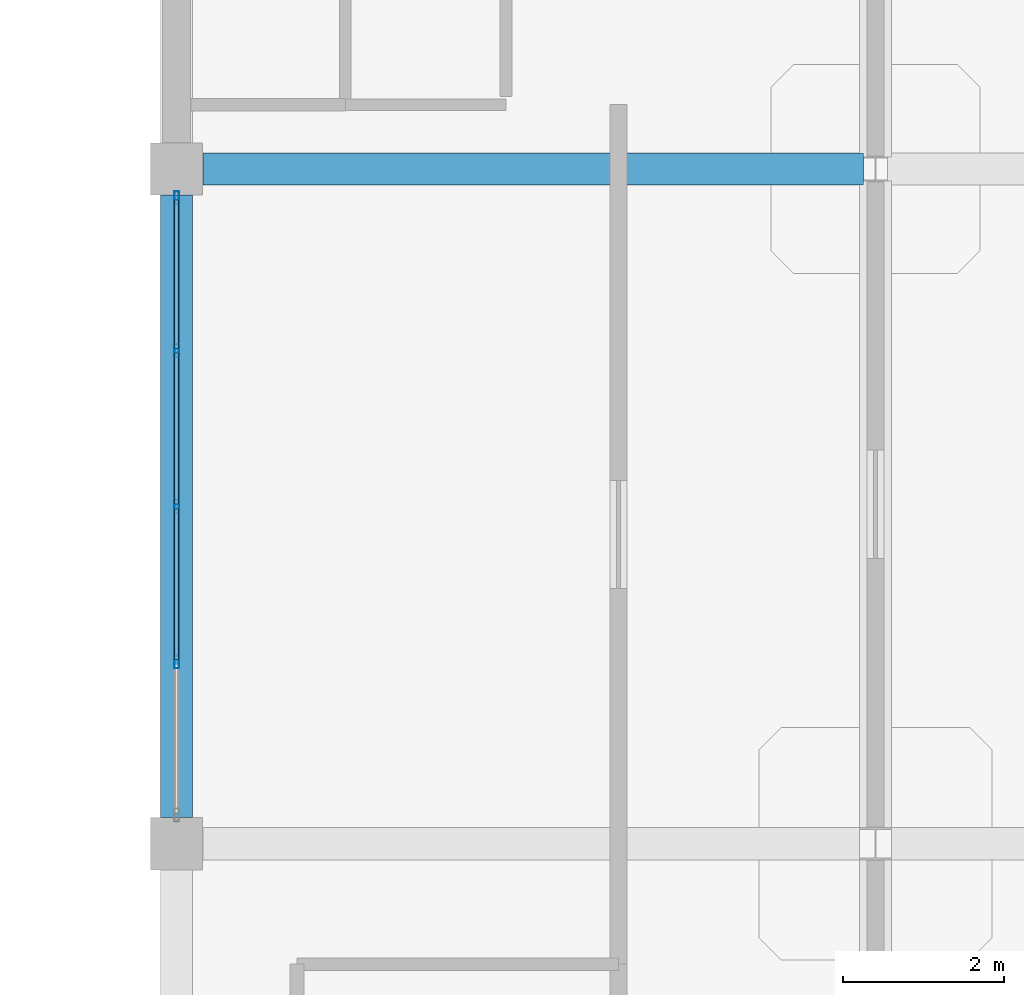
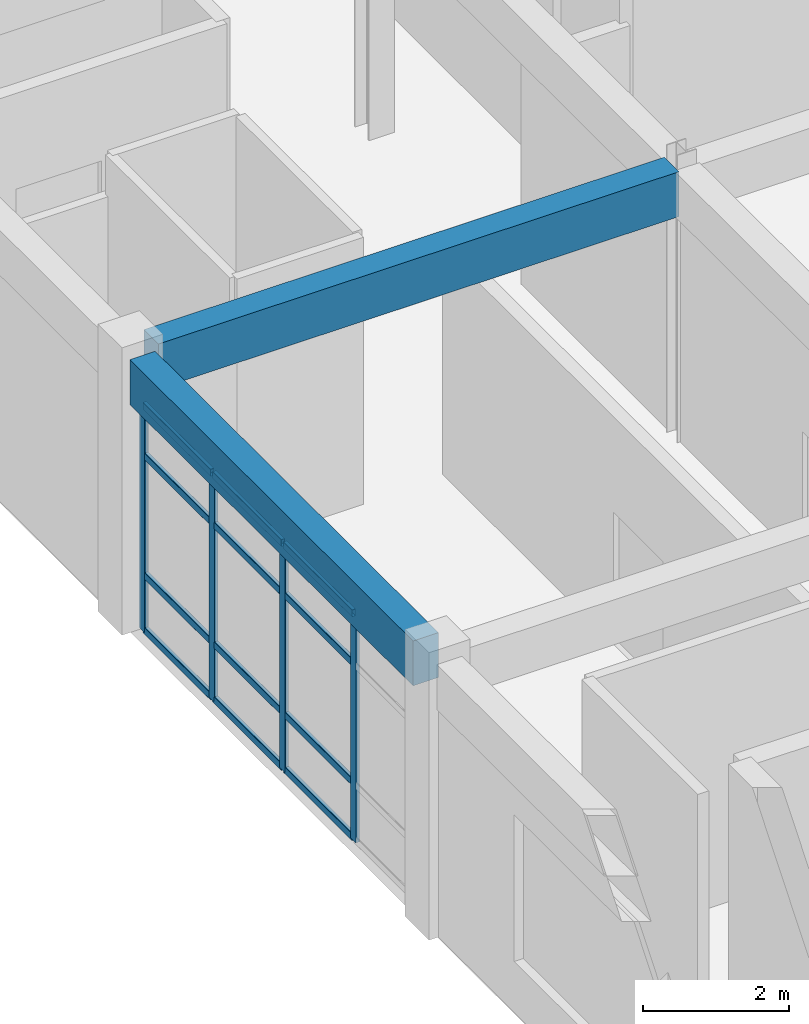
# One storey, part 25 of 41: 16 members, 2 beams, 1 element without a shape of its own.
"""IFC4 building model written with IfcOpenShell, lengths in metres."""

from ifc_helpers import new_model, si_unit, derived_unit, direction, frame, origin, origin_2d, place, context, subcontext, project, spatial, rectangle, hollow_rectangle, extrude, material, layer, layer_set, material_profile, profile_set, type_object, element, aggregate, save


model = new_model("IFC4")

# Units and contexts
model_context = context("Model", 3, precision=1e-05, world=origin(), true_north=direction((0.0, 1.0)))
body_context = subcontext(model_context, "Body", "Model", "MODEL_VIEW")
ifc_project = project(units=[si_unit("LENGTHUNIT", "METRE"), si_unit("AREAUNIT", "SQUARE_METRE"), si_unit("VOLUMEUNIT", "CUBIC_METRE"), si_unit("PLANEANGLEUNIT", "RADIAN"), si_unit("MASSUNIT", "GRAM", prefix="KILO"), derived_unit("THERMALTRANSMITTANCEUNIT", [(si_unit("MASSUNIT", "GRAM", prefix="KILO"), 1), (si_unit("TIMEUNIT", "SECOND"), -3), (si_unit("THERMODYNAMICTEMPERATUREUNIT", "KELVIN"), -1)])], contexts=[model_context])

# Site, building, storey
site_placement = place(None, origin())
site = spatial("IfcSite", under=ifc_project, at=site_placement, CompositionType="ELEMENT")
building_placement = place(site_placement, origin())
building = spatial("IfcBuilding", under=site, at=building_placement, Name="Qinzheling Arcade Emporium", CompositionType="ELEMENT")
storey_placement = place(building_placement, frame((0.0, 0.0, 36.300048828125)))
storey = spatial("IfcBuildingStorey", under=building, at=storey_placement, Name="L08", CompositionType="ELEMENT", Elevation=36.300048828125)

# Curtain wall, members
ifc_material_1 = material(Name="Anodised aluminium and solar-control double glazing", Category="aluminium")
ifc_layer = layer(ifc_material_1, 0.159912109375, Name="Anodised aluminium and solar-control double glazing", Category="aluminium")
ifc_layer_set = layer_set([ifc_layer], Name="Anodised aluminium and solar-control double glazing")
curtain_wall_type = type_object("IfcCurtainWallType", Name="Arcade Portal Glazed Curtain Wall", PredefinedType="NOTDEFINED", material=ifc_layer_set)
curtain_wall_placement = place(storey_placement, origin())
curtain_wall = element("IfcCurtainWall", 1, at=curtain_wall_placement, inside=storey, type_object=curtain_wall_type, Name="Curtain Wall CW-L08-446", PredefinedType="NOTDEFINED")
ifc_material_2 = material(Name="Anodised aluminium 6063-T6", Category="aluminium")
ifc_material_profile_1 = material_profile(ifc_material_2, hollow_rectangle(XDim=0.06005859375, YDim=0.159912109375, WallThickness=0.00390625, InnerFilletRadius=0.00390625, OuterFilletRadius=0.008056640625, at=origin_2d()), Name="RHS 160x60x4", Category="aluminium")
ifc_profile_set_1 = profile_set([ifc_material_profile_1], Name="Anodised aluminium 6063-T6")
member_type_1 = type_object("IfcMemberType", Name="Curtain Wall Mullion RHS160x60", PredefinedType="MULLION", material=ifc_profile_set_1)
member_1_placement = place(storey_placement, frame((104.39990234375, 84.46337890625, 0.0), z_axis=(0.0, 0.0, 1.0), x_axis=(-1.0, 0.0, 0.0)))
member_1 = element("IfcMember", 2, at=member_1_placement, type_object=member_type_1, Name="CW05 mullion 2", PredefinedType="MULLION", context=body_context, shape_type="SweptSolid", body=[
    extrude(hollow_rectangle(XDim=0.06005859375, YDim=0.159912109375, WallThickness=0.00390625, InnerFilletRadius=0.00390625, OuterFilletRadius=0.008056640625, at=origin_2d()), origin(), (0.0, 0.0, 1.0), 3.794921875),
])
member_2_placement = place(storey_placement, frame((104.39990234375, 86.39990234375, 0.0), z_axis=(0.0, 0.0, 1.0), x_axis=(-1.0, 0.0, 0.0)))
member_2 = element("IfcMember", 3, at=member_2_placement, type_object=member_type_1, Name="CW05 mullion 3", PredefinedType="MULLION", context=body_context, shape_type="SweptSolid", body=[
    extrude(hollow_rectangle(XDim=0.06005859375, YDim=0.159912109375, WallThickness=0.00390625, InnerFilletRadius=0.00390625, OuterFilletRadius=0.008056640625, at=origin_2d()), origin(), (0.0, 0.0, 1.0), 3.794921875),
])
member_3_placement = place(storey_placement, frame((104.39990234375, 88.33642578125, 0.0), z_axis=(0.0, 0.0, 1.0), x_axis=(-1.0, 0.0, 0.0)))
member_3 = element("IfcMember", 4, at=member_3_placement, type_object=member_type_1, Name="CW05 mullion 4", PredefinedType="MULLION", context=body_context, shape_type="SweptSolid", body=[
    extrude(hollow_rectangle(XDim=0.06005859375, YDim=0.159912109375, WallThickness=0.00390625, InnerFilletRadius=0.00390625, OuterFilletRadius=0.008056640625, at=origin_2d()), origin(), (0.0, 0.0, 1.0), 3.794921875),
])
member_4_placement = place(storey_placement, frame((104.39990234375, 90.242919921875, 0.0), z_axis=(0.0, 0.0, 1.0), x_axis=(-1.0, 0.0, 0.0)))
member_4 = element("IfcMember", 5, at=member_4_placement, type_object=member_type_1, Name="CW05 mullion 5", PredefinedType="MULLION", context=body_context, shape_type="SweptSolid", body=[
    extrude(hollow_rectangle(XDim=0.06005859375, YDim=0.159912109375, WallThickness=0.00390625, InnerFilletRadius=0.00390625, OuterFilletRadius=0.008056640625, at=origin_2d()), origin(), (0.0, 0.0, 1.0), 3.794921875),
])
ifc_material_profile_2 = material_profile(ifc_material_2, hollow_rectangle(XDim=0.06005859375, YDim=0.1201171875, WallThickness=0.00390625, InnerFilletRadius=0.00390625, OuterFilletRadius=0.008056640625, at=origin_2d()), Name="RHS 120x60x4", Category="aluminium")
ifc_profile_set_2 = profile_set([ifc_material_profile_2], Name="Anodised aluminium 6063-T6")
member_type_2 = type_object("IfcMemberType", Name="Curtain Wall Transom RHS120x60", PredefinedType="USERDEFINED", material=ifc_profile_set_2)
member_5_placement = place(storey_placement, frame((104.39990234375, 84.493408203125, 0.030029296875), z_axis=(0.0, 1.0, 0.0), x_axis=(-1.0, 0.0, 0.0)))
member_5 = element("IfcMember", 6, at=member_5_placement, type_object=member_type_2, Name="CW05 transom 2.1", ObjectType="TRANSOM", PredefinedType="USERDEFINED", context=body_context, shape_type="SweptSolid", body=[
    extrude(hollow_rectangle(XDim=0.06005859375, YDim=0.1201171875, WallThickness=0.00390625, InnerFilletRadius=0.00390625, OuterFilletRadius=0.008056640625, at=origin_2d()), origin(), (0.0, 0.0, 1.0), 1.876708984375),
])
member_6_placement = place(storey_placement, frame((104.39990234375, 84.493408203125, 0.949951171875), z_axis=(0.0, 1.0, 0.0), x_axis=(-1.0, 0.0, 0.0)))
member_6 = element("IfcMember", 7, at=member_6_placement, type_object=member_type_2, Name="CW05 transom 2.2", ObjectType="TRANSOM", PredefinedType="USERDEFINED", context=body_context, shape_type="SweptSolid", body=[
    extrude(hollow_rectangle(XDim=0.06005859375, YDim=0.1201171875, WallThickness=0.00390625, InnerFilletRadius=0.00390625, OuterFilletRadius=0.008056640625, at=origin_2d()), origin(), (0.0, 0.0, 1.0), 1.876708984375),
])
member_7_placement = place(storey_placement, frame((104.39990234375, 84.493408203125, 2.945068359375), z_axis=(0.0, 1.0, 0.0), x_axis=(-1.0, 0.0, 0.0)))
member_7 = element("IfcMember", 8, at=member_7_placement, type_object=member_type_2, Name="CW05 transom 2.3", ObjectType="TRANSOM", PredefinedType="USERDEFINED", context=body_context, shape_type="SweptSolid", body=[
    extrude(hollow_rectangle(XDim=0.06005859375, YDim=0.1201171875, WallThickness=0.00390625, InnerFilletRadius=0.00390625, OuterFilletRadius=0.008056640625, at=origin_2d()), origin(), (0.0, 0.0, 1.0), 1.876708984375),
])
member_8_placement = place(storey_placement, frame((104.39990234375, 84.493408203125, 3.764892578125), z_axis=(0.0, 1.0, 0.0), x_axis=(-1.0, 0.0, 0.0)))
member_8 = element("IfcMember", 9, at=member_8_placement, type_object=member_type_2, Name="CW05 transom 2.4", ObjectType="TRANSOM", PredefinedType="USERDEFINED", context=body_context, shape_type="SweptSolid", body=[
    extrude(hollow_rectangle(XDim=0.06005859375, YDim=0.1201171875, WallThickness=0.00390625, InnerFilletRadius=0.00390625, OuterFilletRadius=0.008056640625, at=origin_2d()), origin(), (0.0, 0.0, 1.0), 1.876708984375),
])
member_9_placement = place(storey_placement, frame((104.39990234375, 86.429931640625, 0.030029296875), z_axis=(0.0, 1.0, 0.0), x_axis=(-1.0, 0.0, 0.0)))
member_9 = element("IfcMember", 10, at=member_9_placement, type_object=member_type_2, Name="CW05 transom 3.1", ObjectType="TRANSOM", PredefinedType="USERDEFINED", context=body_context, shape_type="SweptSolid", body=[
    extrude(hollow_rectangle(XDim=0.06005859375, YDim=0.1201171875, WallThickness=0.00390625, InnerFilletRadius=0.00390625, OuterFilletRadius=0.008056640625, at=origin_2d()), origin(), (0.0, 0.0, 1.0), 1.87646484375),
])
member_10_placement = place(storey_placement, frame((104.39990234375, 86.429931640625, 0.949951171875), z_axis=(0.0, 1.0, 0.0), x_axis=(-1.0, 0.0, 0.0)))
member_10 = element("IfcMember", 11, at=member_10_placement, type_object=member_type_2, Name="CW05 transom 3.2", ObjectType="TRANSOM", PredefinedType="USERDEFINED", context=body_context, shape_type="SweptSolid", body=[
    extrude(hollow_rectangle(XDim=0.06005859375, YDim=0.1201171875, WallThickness=0.00390625, InnerFilletRadius=0.00390625, OuterFilletRadius=0.008056640625, at=origin_2d()), origin(), (0.0, 0.0, 1.0), 1.87646484375),
])
member_11_placement = place(storey_placement, frame((104.39990234375, 86.429931640625, 2.945068359375), z_axis=(0.0, 1.0, 0.0), x_axis=(-1.0, 0.0, 0.0)))
member_11 = element("IfcMember", 12, at=member_11_placement, type_object=member_type_2, Name="CW05 transom 3.3", ObjectType="TRANSOM", PredefinedType="USERDEFINED", context=body_context, shape_type="SweptSolid", body=[
    extrude(hollow_rectangle(XDim=0.06005859375, YDim=0.1201171875, WallThickness=0.00390625, InnerFilletRadius=0.00390625, OuterFilletRadius=0.008056640625, at=origin_2d()), origin(), (0.0, 0.0, 1.0), 1.87646484375),
])
member_12_placement = place(storey_placement, frame((104.39990234375, 86.429931640625, 3.764892578125), z_axis=(0.0, 1.0, 0.0), x_axis=(-1.0, 0.0, 0.0)))
member_12 = element("IfcMember", 13, at=member_12_placement, type_object=member_type_2, Name="CW05 transom 3.4", ObjectType="TRANSOM", PredefinedType="USERDEFINED", context=body_context, shape_type="SweptSolid", body=[
    extrude(hollow_rectangle(XDim=0.06005859375, YDim=0.1201171875, WallThickness=0.00390625, InnerFilletRadius=0.00390625, OuterFilletRadius=0.008056640625, at=origin_2d()), origin(), (0.0, 0.0, 1.0), 1.87646484375),
])
member_13_placement = place(storey_placement, frame((104.39990234375, 88.366455078125, 0.030029296875), z_axis=(0.0, 1.0, 0.0), x_axis=(-1.0, 0.0, 0.0)))
member_13 = element("IfcMember", 14, at=member_13_placement, type_object=member_type_2, Name="CW05 transom 4.1", ObjectType="TRANSOM", PredefinedType="USERDEFINED", context=body_context, shape_type="SweptSolid", body=[
    extrude(hollow_rectangle(XDim=0.06005859375, YDim=0.1201171875, WallThickness=0.00390625, InnerFilletRadius=0.00390625, OuterFilletRadius=0.008056640625, at=origin_2d()), origin(), (0.0, 0.0, 1.0), 1.846435546875),
])
member_14_placement = place(storey_placement, frame((104.39990234375, 88.366455078125, 0.949951171875), z_axis=(0.0, 1.0, 0.0), x_axis=(-1.0, 0.0, 0.0)))
member_14 = element("IfcMember", 15, at=member_14_placement, type_object=member_type_2, Name="CW05 transom 4.2", ObjectType="TRANSOM", PredefinedType="USERDEFINED", context=body_context, shape_type="SweptSolid", body=[
    extrude(hollow_rectangle(XDim=0.06005859375, YDim=0.1201171875, WallThickness=0.00390625, InnerFilletRadius=0.00390625, OuterFilletRadius=0.008056640625, at=origin_2d()), origin(), (0.0, 0.0, 1.0), 1.846435546875),
])
member_15_placement = place(storey_placement, frame((104.39990234375, 88.366455078125, 2.945068359375), z_axis=(0.0, 1.0, 0.0), x_axis=(-1.0, 0.0, 0.0)))
member_15 = element("IfcMember", 16, at=member_15_placement, type_object=member_type_2, Name="CW05 transom 4.3", ObjectType="TRANSOM", PredefinedType="USERDEFINED", context=body_context, shape_type="SweptSolid", body=[
    extrude(hollow_rectangle(XDim=0.06005859375, YDim=0.1201171875, WallThickness=0.00390625, InnerFilletRadius=0.00390625, OuterFilletRadius=0.008056640625, at=origin_2d()), origin(), (0.0, 0.0, 1.0), 1.846435546875),
])
member_16_placement = place(storey_placement, frame((104.39990234375, 88.366455078125, 3.764892578125), z_axis=(0.0, 1.0, 0.0), x_axis=(-1.0, 0.0, 0.0)))
member_16 = element("IfcMember", 17, at=member_16_placement, type_object=member_type_2, Name="CW05 transom 4.4", ObjectType="TRANSOM", PredefinedType="USERDEFINED", context=body_context, shape_type="SweptSolid", body=[
    extrude(hollow_rectangle(XDim=0.06005859375, YDim=0.1201171875, WallThickness=0.00390625, InnerFilletRadius=0.00390625, OuterFilletRadius=0.008056640625, at=origin_2d()), origin(), (0.0, 0.0, 1.0), 1.846435546875),
])
aggregate(curtain_wall, [member_1, member_2, member_3, member_4, member_5, member_6, member_7, member_8, member_9, member_10, member_11, member_12, member_13, member_14, member_15, member_16])

# Beams
ifc_material_3 = material(Name="Concrete C40", Category="concrete")
ifc_material_profile_3 = material_profile(ifc_material_3, rectangle(XDim=0.39990234375, YDim=0.75, at=origin_2d()), Name="RC 400x750", Category="concrete")
ifc_profile_set_3 = profile_set([ifc_material_profile_3], Name="Concrete C40")
beam_type = type_object("IfcBeamType", Name="RC Interior Tie Beam 400x750 C40", PredefinedType="BEAM", material=ifc_profile_set_3)
beam_1_placement = place(storey_placement, frame((104.72509765625, 90.60009765625, 4.18505859375), z_axis=(1.0, 0.0, 0.0), x_axis=(0.0, 1.0, 0.0)))
element("IfcBeam", 18, at=beam_1_placement, inside=storey, type_object=beam_type, Name="Beam BM-L08-X-L-13", PredefinedType="BEAM", context=body_context, shape_type="SweptSolid", body=[
    extrude(rectangle(XDim=0.39990234375, YDim=0.75, at=origin_2d()), origin(), (0.0, 0.0, 1.0), 8.224853515625),
])
beam_2_placement = place(storey_placement, frame((104.39990234375, 82.52490234375, 4.18505859375), z_axis=(0.0, 1.0, 0.0), x_axis=(-1.0, 0.0, 0.0)))
element("IfcBeam", 19, at=beam_2_placement, inside=storey, type_object=beam_type, Name="Beam BM-L08-Y-13-K", PredefinedType="BEAM", context=body_context, shape_type="SweptSolid", body=[
    extrude(rectangle(XDim=0.39990234375, YDim=0.75, at=origin_2d()), origin(), (0.0, 0.0, 1.0), 7.75),
])

save(model, "model.ifc")
